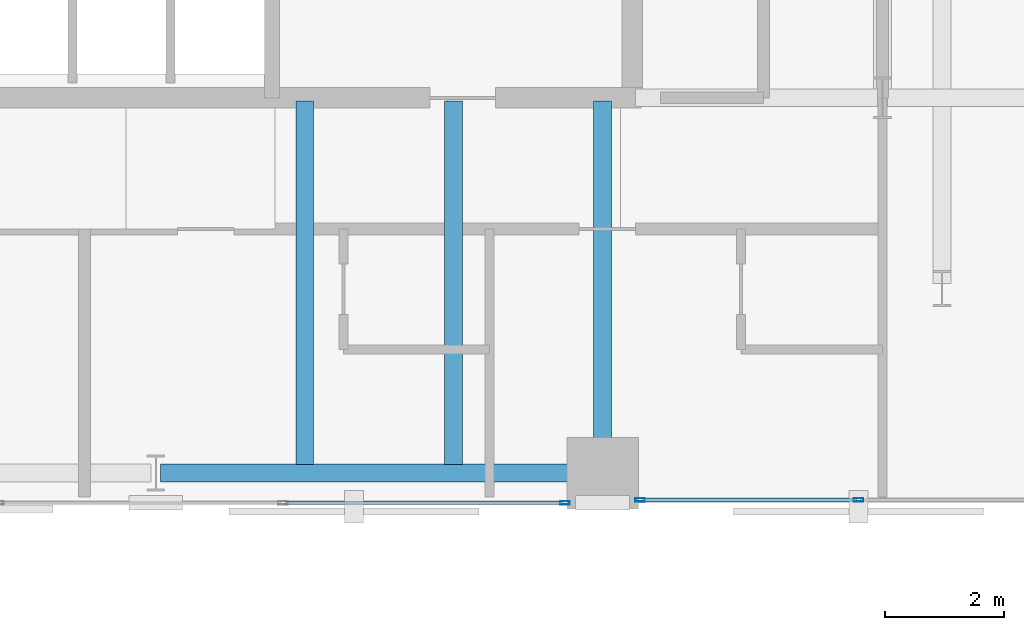
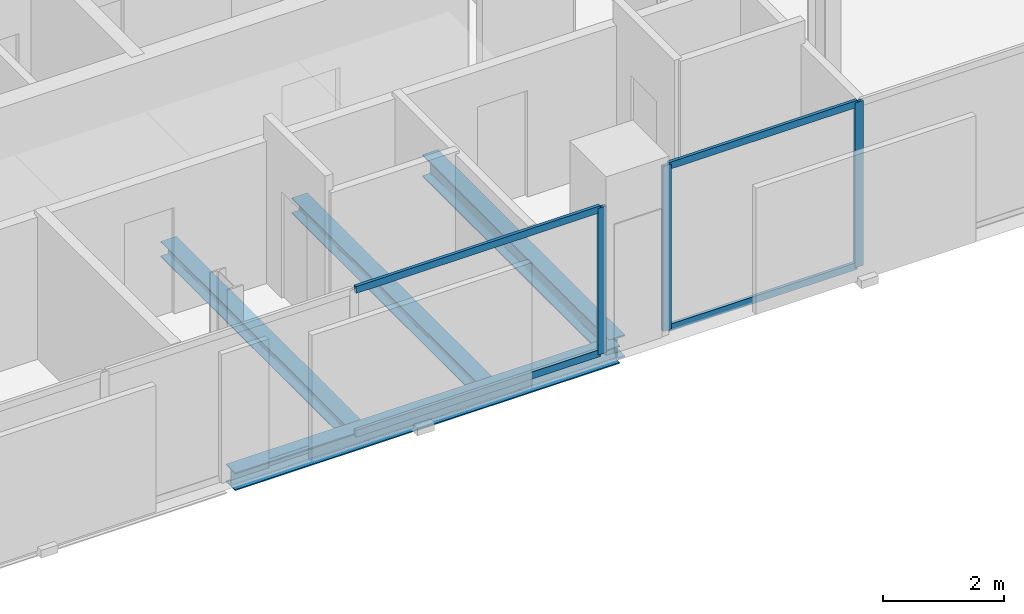
# One storey, part 14 of 33: 7 members, 4 beams, 2 elements without a shape of their own.
"""IFC4 building model written with IfcOpenShell, lengths in metres."""

from ifc_helpers import new_model, si_unit, direction, frame, origin, origin_2d, place, context, subcontext, project, spatial, hollow_rectangle, i_section, extrude, material, layer, layer_set, material_profile, profile_set, type_object, element, aggregate, save


model = new_model("IFC4")

# Units and contexts
model_context = context("Model", 3, precision=1e-05, world=origin(), true_north=direction((0.0, 1.0)))
body_context = subcontext(model_context, "Body", "Model", "MODEL_VIEW")
ifc_project = project(units=[si_unit("LENGTHUNIT", "METRE"), si_unit("AREAUNIT", "SQUARE_METRE"), si_unit("VOLUMEUNIT", "CUBIC_METRE"), si_unit("PLANEANGLEUNIT", "RADIAN"), si_unit("MASSUNIT", "GRAM", prefix="KILO")], contexts=[model_context])

# Site, building, storey
site_placement = place(None, origin())
site = spatial("IfcSite", under=ifc_project, at=site_placement, CompositionType="ELEMENT")
building_placement = place(site_placement, origin())
building = spatial("IfcBuilding", under=site, at=building_placement, Name="Catumbela Crestline Tower", CompositionType="ELEMENT")
storey_placement = place(building_placement, frame((0.0, 0.0, 118.8)))
storey = spatial("IfcBuildingStorey", under=building, at=storey_placement, Name="L30", CompositionType="ELEMENT", Elevation=118.8)

# Beams
ifc_material_1 = material(Name="Structural steel S355J2", Category="steel")
ifc_material_profile_1 = material_profile(ifc_material_1, i_section(OverallWidth=0.3, OverallDepth=0.45, WebThickness=0.014, FlangeThickness=0.026, FilletRadius=0.027, at=origin_2d()), Name="HEB 450")
ifc_profile_set_1 = profile_set([ifc_material_profile_1], Name="Structural steel S355J2")
beam_type_1 = type_object("IfcBeamType", Name="BG-HEB450", PredefinedType="BEAM", material=ifc_profile_set_1)
beam_1_placement = place(storey_placement, frame((39.5, 24.58, -0.485), z_axis=(0.0, 1.0, 0.0), x_axis=(-1.0, 0.0, 0.0)))
element("IfcBeam", 1, at=beam_1_placement, inside=storey, type_object=beam_type_1, Name="L30 Beam BM-L30-SNS31", PredefinedType="BEAM", context=body_context, shape_type="SweptSolid", body=[
    extrude(i_section(OverallWidth=0.3, OverallDepth=0.45, WebThickness=0.014, FlangeThickness=0.026, FilletRadius=0.027, at=origin_2d()), origin(), (0.0, 0.0, 1.0), 6.17),
])
ifc_material_profile_2 = material_profile(ifc_material_1, i_section(OverallWidth=0.3, OverallDepth=0.31, WebThickness=0.009, FlangeThickness=0.0155, FilletRadius=0.027, at=origin_2d()), Name="HEA 320")
ifc_profile_set_2 = profile_set([ifc_material_profile_2], Name="Structural steel S355J2")
beam_type_2 = type_object("IfcBeamType", Name="BJ-HEA320", PredefinedType="JOIST", material=ifc_profile_set_2)
for number, where, z_axis, x_axis, name in (
    (2, (34.5, 24.647, -0.415), (0.0, 1.0, 0.0), (-1.0, 0.0, 0.0), "L30 Joist JS-L30-SP41"),
    (3, (37.0, 24.647, -0.415), (0.0, 1.0, 0.0), (-1.0, 0.0, 0.0), "L30 Joist JS-L30-SP42"),
):
    element("IfcBeam", number, at=place(storey_placement, frame(where, z_axis=z_axis, x_axis=x_axis)), inside=storey, type_object=beam_type_2, Name=name, PredefinedType="JOIST", context=body_context, shape_type="SweptSolid", body=[
        extrude(i_section(OverallWidth=0.3, OverallDepth=0.31, WebThickness=0.009, FlangeThickness=0.0155, FilletRadius=0.027, at=origin_2d()), origin(), (0.0, 0.0, 1.0), 6.103),
    ])

# Curtain wall, member
ifc_material_2 = material(Name="Aluminium alloy AW-6060-T66", Category="aluminium")
ifc_layer = layer(ifc_material_2, 0.18, Name="Aluminium alloy AW-6060-T66")
ifc_layer_set = layer_set([ifc_layer], Name="Aluminium alloy AW-6060-T66")
curtain_wall_type = type_object("IfcCurtainWallType", Name="CWU-Z2", PredefinedType="USERDEFINED", material=ifc_layer_set)
curtain_wall_1_placement = place(storey_placement, origin())
curtain_wall_1 = element("IfcCurtainWall", 4, at=curtain_wall_1_placement, inside=storey, type_object=curtain_wall_type, Name="L30 Unitised Curtain Wall CW-L30-E3S1", ObjectType="UNITISED", PredefinedType="USERDEFINED")
ifc_material_profile_3 = material_profile(ifc_material_2, hollow_rectangle(XDim=0.06, YDim=0.16, WallThickness=0.004, at=origin_2d()), Name="ALU 160x60x4")
ifc_profile_set_3 = profile_set([ifc_material_profile_3], Name="Aluminium alloy AW-6060-T66")
member_type_1 = type_object("IfcMemberType", Name="MUL-160X60", PredefinedType="MULLION", material=ifc_profile_set_3)
member_1_placement = place(storey_placement, frame((38.8675, 24.0, 0.0), z_axis=(0.0, 0.0, 1.0), x_axis=(0.0, 1.0, 0.0)))
member_1 = element("IfcMember", 5, at=member_1_placement, type_object=member_type_1, Name="CWU-Z2 mullion 4", PredefinedType="MULLION", context=body_context, shape_type="SweptSolid", body=[
    extrude(hollow_rectangle(XDim=0.06, YDim=0.16, WallThickness=0.004, at=origin_2d()), origin(), (0.0, 0.0, 1.0), 2.96),
])

# Curtain wall, members
curtain_wall_2_placement = place(storey_placement, origin())
curtain_wall_2 = element("IfcCurtainWall", 6, at=curtain_wall_2_placement, inside=storey, type_object=curtain_wall_type, Name="L30 Unitised Curtain Wall CW-L30-E3S2", ObjectType="UNITISED", PredefinedType="USERDEFINED")
member_2_placement = place(storey_placement, frame((40.1325, 24.05, 0.0), z_axis=(0.0, 0.0, 1.0), x_axis=(0.0, 1.0, 0.0)))
member_2 = element("IfcMember", 7, at=member_2_placement, type_object=member_type_1, Name="CWU-Z2 mullion 1", PredefinedType="MULLION", context=body_context, shape_type="SweptSolid", body=[
    extrude(hollow_rectangle(XDim=0.06, YDim=0.16, WallThickness=0.004, at=origin_2d()), origin(), (0.0, 0.0, 1.0), 3.33),
])
member_3_placement = place(storey_placement, frame((43.8, 24.05, 0.0), z_axis=(0.0, 0.0, 1.0), x_axis=(0.0, 1.0, 0.0)))
member_3 = element("IfcMember", 8, at=member_3_placement, type_object=member_type_1, Name="CWU-Z2 mullion 2", PredefinedType="MULLION", context=body_context, shape_type="SweptSolid", body=[
    extrude(hollow_rectangle(XDim=0.06, YDim=0.16, WallThickness=0.004, at=origin_2d()), origin(), (0.0, 0.0, 1.0), 3.33),
])

# Beam
ifc_material_profile_4 = material_profile(ifc_material_1, i_section(OverallWidth=0.3, OverallDepth=0.36, WebThickness=0.0125, FlangeThickness=0.0225, FilletRadius=0.027, at=origin_2d()), Name="HEB 360")
ifc_profile_set_4 = profile_set([ifc_material_profile_4], Name="Structural steel S355J2")
beam_type_3 = type_object("IfcBeamType", Name="BS-HEB360", PredefinedType="SPANDREL", material=ifc_profile_set_4)
beam_2_placement = place(storey_placement, frame((32.08, 24.5, -0.44), z_axis=(1.0, 0.0, 0.0), x_axis=(0.0, 1.0, 0.0)))
element("IfcBeam", 9, at=beam_2_placement, inside=storey, type_object=beam_type_3, Name="L30 Spandrel SP-L30-S06", PredefinedType="SPANDREL", context=body_context, shape_type="SweptSolid", body=[
    extrude(i_section(OverallWidth=0.3, OverallDepth=0.36, WebThickness=0.0125, FlangeThickness=0.0225, FilletRadius=0.027, at=origin_2d()), origin(), (0.0, 0.0, 1.0), 7.34),
])

# Member
ifc_material_profile_5 = material_profile(ifc_material_2, hollow_rectangle(XDim=0.06, YDim=0.14, WallThickness=0.004, at=origin_2d()), Name="ALU 140x60x4")
ifc_profile_set_5 = profile_set([ifc_material_profile_5], Name="Aluminium alloy AW-6060-T66")
member_type_2 = type_object("IfcMemberType", Name="TRN-140X60", PredefinedType="USERDEFINED", material=ifc_profile_set_5)
member_4_placement = place(storey_placement, frame((34.1658, 24.0, 0.03), z_axis=(1.0, 0.0, 0.0), x_axis=(0.0, 1.0, 0.0)))
member_4 = element("IfcMember", 10, at=member_4_placement, type_object=member_type_2, Name="CWU-Z2 transom 3.1", ObjectType="TRANSOM", PredefinedType="USERDEFINED", context=body_context, shape_type="SweptSolid", body=[
    extrude(hollow_rectangle(XDim=0.06, YDim=0.14, WallThickness=0.004, at=origin_2d()), origin(), (0.0, 0.0, 1.0), 4.6692),
])

member_5_placement = place(storey_placement, frame((34.1658, 24.0, 2.93), z_axis=(1.0, 0.0, 0.0), x_axis=(0.0, 1.0, 0.0)))
member_5 = element("IfcMember", 11, at=member_5_placement, type_object=member_type_2, Name="CWU-Z2 transom 3.2", ObjectType="TRANSOM", PredefinedType="USERDEFINED", context=body_context, shape_type="SweptSolid", body=[
    extrude(hollow_rectangle(XDim=0.06, YDim=0.14, WallThickness=0.004, at=origin_2d()), origin(), (0.0, 0.0, 1.0), 4.6692),
])

aggregate(curtain_wall_1, [member_1, member_4, member_5])

member_6_placement = place(storey_placement, frame((40.165, 24.05, 0.03), z_axis=(1.0, 0.0, 0.0), x_axis=(0.0, 1.0, 0.0)))
member_6 = element("IfcMember", 12, at=member_6_placement, type_object=member_type_2, Name="CWU-Z2 transom 1.1", ObjectType="TRANSOM", PredefinedType="USERDEFINED", context=body_context, shape_type="SweptSolid", body=[
    extrude(hollow_rectangle(XDim=0.06, YDim=0.14, WallThickness=0.004, at=origin_2d()), origin(), (0.0, 0.0, 1.0), 3.6025),
])

member_7_placement = place(storey_placement, frame((40.165, 24.05, 3.3), z_axis=(1.0, 0.0, 0.0), x_axis=(0.0, 1.0, 0.0)))
member_7 = element("IfcMember", 13, at=member_7_placement, type_object=member_type_2, Name="CWU-Z2 transom 1.2", ObjectType="TRANSOM", PredefinedType="USERDEFINED", context=body_context, shape_type="SweptSolid", body=[
    extrude(hollow_rectangle(XDim=0.06, YDim=0.14, WallThickness=0.004, at=origin_2d()), origin(), (0.0, 0.0, 1.0), 3.6025),
])

aggregate(curtain_wall_2, [member_2, member_3, member_6, member_7])

save(model, "model.ifc")
